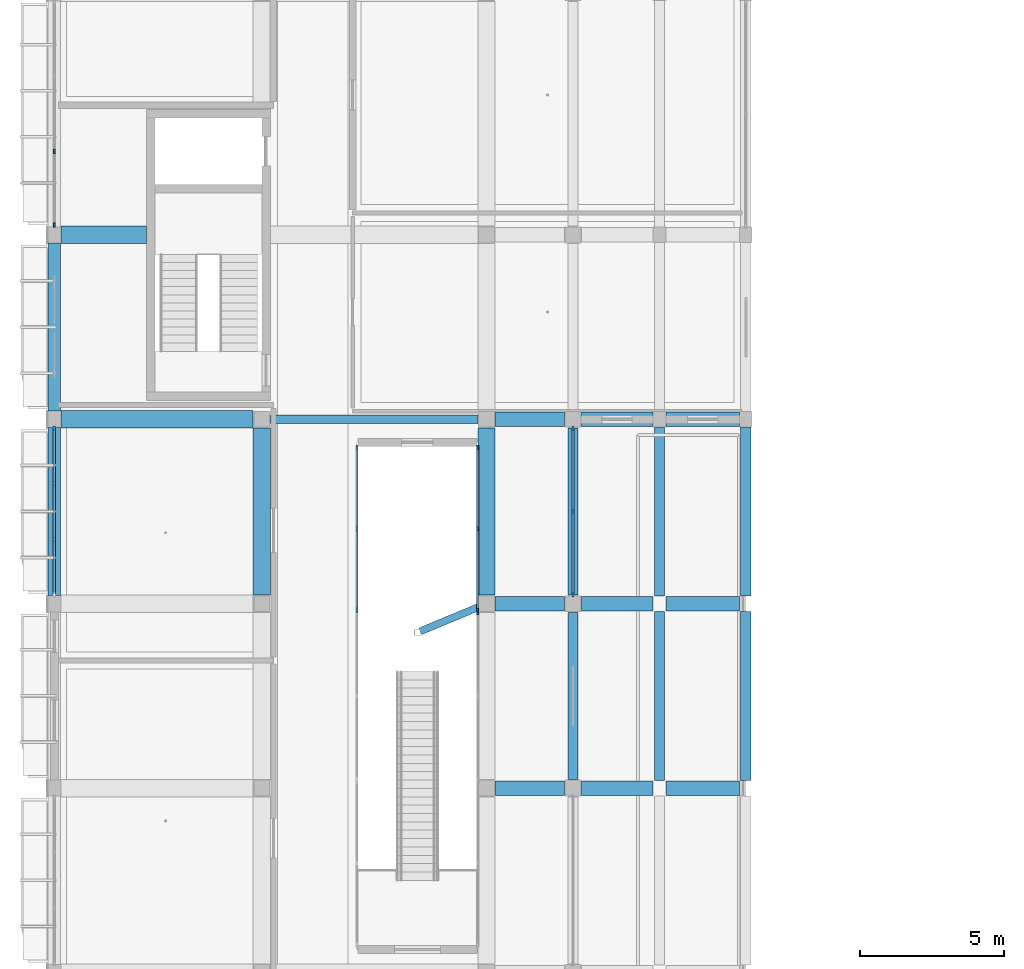
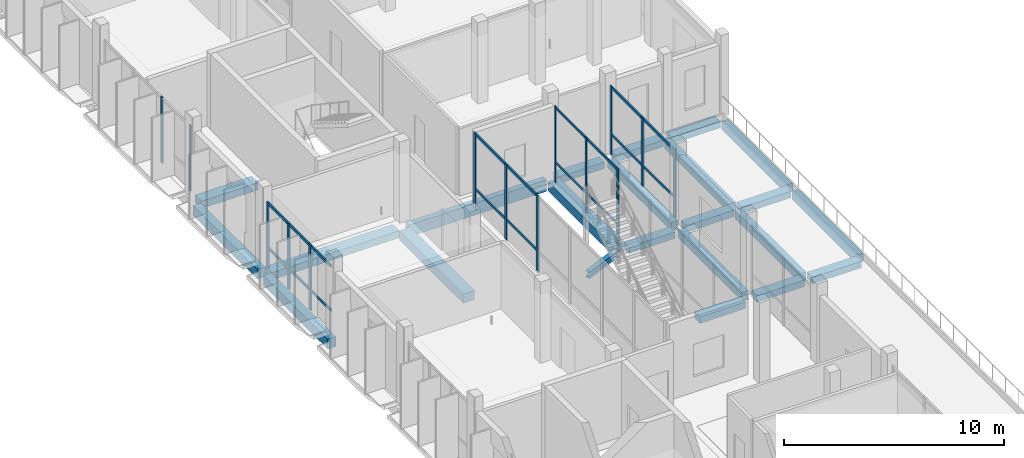
# One storey, part 20 of 95: 23 beams, 23 members, 6 elements without a shape of their own.
"""IFC4 building model written with IfcOpenShell, lengths in metres."""

from ifc_helpers import new_model, si_unit, derived_unit, direction, frame, origin, origin_2d, place, context, subcontext, project, spatial, rectangle, i_section, extrude, material, material_profile, profile_set, type_object, element, aggregate, save


model = new_model("IFC4")

# Units and contexts
model_context = context("Model", 3, precision=1e-05, world=origin(), true_north=direction((0.0, 1.0)))
body_context = subcontext(model_context, "Body", "Model", "MODEL_VIEW")
ifc_project = project(units=[si_unit("LENGTHUNIT", "METRE"), si_unit("AREAUNIT", "SQUARE_METRE"), si_unit("VOLUMEUNIT", "CUBIC_METRE"), si_unit("PLANEANGLEUNIT", "RADIAN"), si_unit("MASSUNIT", "GRAM", prefix="KILO"), derived_unit("THERMALTRANSMITTANCEUNIT", [(si_unit("POWERUNIT", "WATT"), 1), (si_unit("LENGTHUNIT", "METRE"), -2), (si_unit("THERMODYNAMICTEMPERATUREUNIT", "KELVIN"), -1)])], contexts=[model_context])

# Site, building, storey
site_placement = place(None, origin())
site = spatial("IfcSite", under=ifc_project, at=site_placement, CompositionType="ELEMENT")
building_placement = place(site_placement, origin())
building = spatial("IfcBuilding", under=site, at=building_placement, Name="Braskholm Square Health Centre", CompositionType="ELEMENT")
storey_placement = place(building_placement, frame((0.0, 0.0, 4.800048828125)))
storey = spatial("IfcBuildingStorey", under=building, at=storey_placement, Name="L02", CompositionType="ELEMENT", Elevation=4.800048828125)

# Curtain wall, members
ifc_material_1 = material(Name="Low-E triple insulating glass (VLT 0.64)", Category="glass")
curtain_wall_type_1 = type_object("IfcCurtainWallType", Name="UnitisedCurtainWall6200x3650", PredefinedType="NOTDEFINED", material=ifc_material_1)
curtain_wall_1_placement = place(storey_placement, origin())
curtain_wall_1 = element("IfcCurtainWall", 1, at=curtain_wall_1_placement, inside=storey, type_object=curtain_wall_type_1, Name="West Outer unitised curtain wall CW-L02-0010", PredefinedType="NOTDEFINED")
ifc_material_2 = material(Name="Architectural bronze anodised aluminium", Category="aluminium")
ifc_material_profile_1 = material_profile(ifc_material_2, rectangle(XDim=0.06494140625, YDim=0.14990234375, at=origin_2d()), Name="ALU-65X150")
ifc_profile_set_1 = profile_set([ifc_material_profile_1], Name="Architectural bronze anodised aluminium")
member_type_1 = type_object("IfcMemberType", Name="CurtainWallMullion65x150", PredefinedType="MULLION", material=ifc_profile_set_1)
member_1_placement = place(storey_placement, frame((4.199951171875, 58.296630859375, 0.0), z_axis=(0.0, 0.0, 1.0), x_axis=(1.0, 0.0, 0.0)))
member_1 = element("IfcMember", 2, at=member_1_placement, type_object=member_type_1, Name="CW-L02-0010 vertical mullion 3", PredefinedType="MULLION", context=body_context, shape_type="SweptSolid", body=[
    extrude(rectangle(XDim=0.06494140625, YDim=0.14990234375, at=origin_2d()), origin(), (0.0, 0.0, 1.0), 3.64990234375),
])
member_2_placement = place(storey_placement, frame((4.199951171875, 55.73681640625, 0.0), z_axis=(0.0, 0.0, 1.0), x_axis=(1.0, 0.0, 0.0)))
member_2 = element("IfcMember", 3, at=member_2_placement, type_object=member_type_1, Name="CW-L02-0010 vertical mullion 4", PredefinedType="MULLION", context=body_context, shape_type="SweptSolid", body=[
    extrude(rectangle(XDim=0.06494140625, YDim=0.14990234375, at=origin_2d()), origin(), (0.0, 0.0, 1.0), 3.64990234375),
])
aggregate(curtain_wall_1, [member_1, member_2])

# Curtain wall, member
curtain_wall_type_2 = type_object("IfcCurtainWallType", Name="UnitisedCurtainWall6200x4100", PredefinedType="NOTDEFINED", material=ifc_material_1)
curtain_wall_2_placement = place(storey_placement, origin())
curtain_wall_2 = element("IfcCurtainWall", 4, at=curtain_wall_2_placement, inside=storey, type_object=curtain_wall_type_2, Name="WC1 Court E unitised curtain wall CW-L02-0258", PredefinedType="NOTDEFINED")
member_3_placement = place(storey_placement, frame((18.89990234375, 42.29296875, 0.0), z_axis=(0.0, 0.0, 1.0), x_axis=(1.0, 0.0, 0.0)))
member_3 = element("IfcMember", 5, at=member_3_placement, type_object=member_type_1, Name="CW-L02-0258 vertical mullion 1", PredefinedType="MULLION", context=body_context, shape_type="SweptSolid", body=[
    extrude(rectangle(XDim=0.06494140625, YDim=0.14990234375, at=origin_2d()), origin(), (0.0, 0.0, 1.0), 4.199951171875),
])
aggregate(curtain_wall_2, [member_3])

# Curtain wall, members
curtain_wall_type_3 = type_object("IfcCurtainWallType", Name="UnitisedCurtainWall5400x4100", PredefinedType="NOTDEFINED", material=ifc_material_1)
curtain_wall_3_placement = place(storey_placement, origin())
curtain_wall_3 = element("IfcCurtainWall", 6, at=curtain_wall_3_placement, inside=storey, type_object=curtain_wall_type_3, Name="WC1 Court E unitised curtain wall CW-L02-0260", PredefinedType="NOTDEFINED")
member_4_placement = place(storey_placement, frame((18.89990234375, 48.025634765625, 0.0), z_axis=(0.0, 0.0, 1.0), x_axis=(1.0, 0.0, 0.0)))
member_4 = element("IfcMember", 7, at=member_4_placement, type_object=member_type_1, Name="CW-L02-0260 vertical mullion 1", PredefinedType="MULLION", context=body_context, shape_type="SweptSolid", body=[
    extrude(rectangle(XDim=0.06494140625, YDim=0.14990234375, at=origin_2d()), origin(), (0.0, 0.0, 1.0), 4.199951171875),
])
member_5_placement = place(storey_placement, frame((18.89990234375, 45.198974609375, 0.0), z_axis=(0.0, 0.0, 1.0), x_axis=(1.0, 0.0, 0.0)))
member_5 = element("IfcMember", 8, at=member_5_placement, type_object=member_type_1, Name="CW-L02-0260 vertical mullion 2", PredefinedType="MULLION", context=body_context, shape_type="SweptSolid", body=[
    extrude(rectangle(XDim=0.06494140625, YDim=0.14990234375, at=origin_2d()), origin(), (0.0, 0.0, 1.0), 4.199951171875),
])
member_6_placement = place(storey_placement, frame((18.89990234375, 42.372314453125, 0.0), z_axis=(0.0, 0.0, 1.0), x_axis=(1.0, 0.0, 0.0)))
member_6 = element("IfcMember", 9, at=member_6_placement, type_object=member_type_1, Name="CW-L02-0260 vertical mullion 3", PredefinedType="MULLION", context=body_context, shape_type="SweptSolid", body=[
    extrude(rectangle(XDim=0.06494140625, YDim=0.14990234375, at=origin_2d()), origin(), (0.0, 0.0, 1.0), 4.199951171875),
])

curtain_wall_4_placement = place(storey_placement, origin())
curtain_wall_4 = element("IfcCurtainWall", 10, at=curtain_wall_4_placement, inside=storey, type_object=curtain_wall_type_1, Name="West Outer unitised curtain wall CW-L02-0009", PredefinedType="NOTDEFINED")
ifc_material_profile_2 = material_profile(ifc_material_2, rectangle(XDim=0.074951171875, YDim=0.179931640625, at=origin_2d()), Name="ALU-75X180")
ifc_profile_set_2 = profile_set([ifc_material_profile_2], Name="Architectural bronze anodised aluminium")
member_type_2 = type_object("IfcMemberType", Name="CurtainWallMullion75x180", PredefinedType="MULLION", material=ifc_profile_set_2)
member_7_placement = place(storey_placement, frame((4.199951171875, 48.675048828125, 0.0), z_axis=(0.0, 0.0, 1.0), x_axis=(1.0, 0.0, 0.0)))
member_7 = element("IfcMember", 11, at=member_7_placement, type_object=member_type_2, Name="CW-L02-0009 vertical mullion 1", PredefinedType="MULLION", context=body_context, shape_type="SweptSolid", body=[
    extrude(rectangle(XDim=0.074951171875, YDim=0.179931640625, at=origin_2d()), origin(), (0.0, 0.0, 1.0), 3.64990234375),
])
member_8_placement = place(storey_placement, frame((4.199951171875, 46.77001953125, 0.0), z_axis=(0.0, 0.0, 1.0), x_axis=(1.0, 0.0, 0.0)))
member_8 = element("IfcMember", 12, at=member_8_placement, type_object=member_type_2, Name="CW-L02-0009 vertical mullion 2", PredefinedType="MULLION", context=body_context, shape_type="SweptSolid", body=[
    extrude(rectangle(XDim=0.074951171875, YDim=0.179931640625, at=origin_2d()), origin(), (0.0, 0.0, 1.0), 3.64990234375),
])
member_9_placement = place(storey_placement, frame((4.199951171875, 44.830078125, 0.0), z_axis=(0.0, 0.0, 1.0), x_axis=(1.0, 0.0, 0.0)))
member_9 = element("IfcMember", 13, at=member_9_placement, type_object=member_type_2, Name="CW-L02-0009 vertical mullion 3", PredefinedType="MULLION", context=body_context, shape_type="SweptSolid", body=[
    extrude(rectangle(XDim=0.074951171875, YDim=0.179931640625, at=origin_2d()), origin(), (0.0, 0.0, 1.0), 3.64990234375),
])

curtain_wall_type_4 = type_object("IfcCurtainWallType", Name="UnitisedCurtainWall6200x3800", PredefinedType="NOTDEFINED", material=ifc_material_1)
curtain_wall_5_placement = place(storey_placement, origin())
curtain_wall_5 = element("IfcCurtainWall", 14, at=curtain_wall_5_placement, inside=storey, type_object=curtain_wall_type_4, Name="West Valley unitised curtain wall CW-L02-0087", PredefinedType="NOTDEFINED")
member_10_placement = place(storey_placement, frame((22.199951171875, 42.919921875, 0.0), z_axis=(0.0, 0.0, 1.0), x_axis=(1.0, 0.0, 0.0)))
member_10 = element("IfcMember", 15, at=member_10_placement, type_object=member_type_2, Name="CW-L02-0087 vertical mullion 1", PredefinedType="MULLION", context=body_context, shape_type="SweptSolid", body=[
    extrude(rectangle(XDim=0.074951171875, YDim=0.179931640625, at=origin_2d()), origin(), (0.0, 0.0, 1.0), 3.7900390625),
])
member_11_placement = place(storey_placement, frame((22.199951171875, 45.800048828125, 0.0), z_axis=(0.0, 0.0, 1.0), x_axis=(1.0, 0.0, 0.0)))
member_11 = element("IfcMember", 16, at=member_11_placement, type_object=member_type_2, Name="CW-L02-0087 vertical mullion 2", PredefinedType="MULLION", context=body_context, shape_type="SweptSolid", body=[
    extrude(rectangle(XDim=0.074951171875, YDim=0.179931640625, at=origin_2d()), origin(), (0.0, 0.0, 1.0), 3.7900390625),
])
member_12_placement = place(storey_placement, frame((22.199951171875, 48.679931640625, 0.0), z_axis=(0.0, 0.0, 1.0), x_axis=(1.0, 0.0, 0.0)))
member_12 = element("IfcMember", 17, at=member_12_placement, type_object=member_type_2, Name="CW-L02-0087 vertical mullion 3", PredefinedType="MULLION", context=body_context, shape_type="SweptSolid", body=[
    extrude(rectangle(XDim=0.074951171875, YDim=0.179931640625, at=origin_2d()), origin(), (0.0, 0.0, 1.0), 3.7900390625),
])

curtain_wall_6_placement = place(storey_placement, origin())
curtain_wall_6 = element("IfcCurtainWall", 18, at=curtain_wall_6_placement, inside=storey, type_object=curtain_wall_type_3, Name="WC1 Court W unitised curtain wall CW-L02-0259", PredefinedType="NOTDEFINED")
member_13_placement = place(storey_placement, frame((14.699951171875, 42.372314453125, 0.0), z_axis=(0.0, 0.0, 1.0), x_axis=(1.0, 0.0, 0.0)))
member_13 = element("IfcMember", 19, at=member_13_placement, type_object=member_type_2, Name="CW-L02-0259 vertical mullion 1", PredefinedType="MULLION", context=body_context, shape_type="SweptSolid", body=[
    extrude(rectangle(XDim=0.074951171875, YDim=0.179931640625, at=origin_2d()), origin(), (0.0, 0.0, 1.0), 4.199951171875),
])
member_14_placement = place(storey_placement, frame((14.699951171875, 45.198974609375, 0.0), z_axis=(0.0, 0.0, 1.0), x_axis=(1.0, 0.0, 0.0)))
member_14 = element("IfcMember", 20, at=member_14_placement, type_object=member_type_2, Name="CW-L02-0259 vertical mullion 2", PredefinedType="MULLION", context=body_context, shape_type="SweptSolid", body=[
    extrude(rectangle(XDim=0.074951171875, YDim=0.179931640625, at=origin_2d()), origin(), (0.0, 0.0, 1.0), 4.199951171875),
])
member_15_placement = place(storey_placement, frame((14.699951171875, 48.025634765625, 0.0), z_axis=(0.0, 0.0, 1.0), x_axis=(1.0, 0.0, 0.0)))
member_15 = element("IfcMember", 21, at=member_15_placement, type_object=member_type_2, Name="CW-L02-0259 vertical mullion 3", PredefinedType="MULLION", context=body_context, shape_type="SweptSolid", body=[
    extrude(rectangle(XDim=0.074951171875, YDim=0.179931640625, at=origin_2d()), origin(), (0.0, 0.0, 1.0), 4.199951171875),
])

# Member
ifc_material_profile_3 = material_profile(ifc_material_2, rectangle(XDim=0.06494140625, YDim=0.1201171875, at=origin_2d()), Name="ALU-65X120")
ifc_profile_set_3 = profile_set([ifc_material_profile_3], Name="Architectural bronze anodised aluminium")
member_type_3 = type_object("IfcMemberType", Name="CurtainWallTransom65x120", PredefinedType="USERDEFINED", material=ifc_profile_set_3)
member_16_placement = place(storey_placement, frame((18.89990234375, 48.014892578125, 1.119873046875), z_axis=(0.0, -1.0, 0.0), x_axis=(1.0, 0.0, 0.0)))
member_16 = element("IfcMember", 22, at=member_16_placement, type_object=member_type_3, Name="CW-L02-0260 horizontal transom 1", ObjectType="TRANSOM", PredefinedType="USERDEFINED", context=body_context, shape_type="SweptSolid", body=[
    extrude(rectangle(XDim=0.06494140625, YDim=0.1201171875, at=origin_2d()), origin(), (0.0, 0.0, 1.0), 5.6318359375),
])

member_17_placement = place(storey_placement, frame((18.89990234375, 48.014892578125, 4.1298828125), z_axis=(0.0, -1.0, 0.0), x_axis=(1.0, 0.0, 0.0)))
member_17 = element("IfcMember", 23, at=member_17_placement, type_object=member_type_3, Name="CW-L02-0260 horizontal transom 2", ObjectType="TRANSOM", PredefinedType="USERDEFINED", context=body_context, shape_type="SweptSolid", body=[
    extrude(rectangle(XDim=0.06494140625, YDim=0.1201171875, at=origin_2d()), origin(), (0.0, 0.0, 1.0), 5.6318359375),
])

aggregate(curtain_wall_3, [member_4, member_5, member_6, member_16, member_17])

ifc_material_profile_4 = material_profile(ifc_material_2, rectangle(XDim=0.074951171875, YDim=0.139892578125, at=origin_2d()), Name="ALU-75X140")
ifc_profile_set_4 = profile_set([ifc_material_profile_4], Name="Architectural bronze anodised aluminium")
member_type_4 = type_object("IfcMemberType", Name="CurtainWallTransom75x140", PredefinedType="USERDEFINED", material=ifc_profile_set_4)
member_18_placement = place(storey_placement, frame((4.199951171875, 48.6650390625, 1.119873046875), z_axis=(0.0, -1.0, 0.0), x_axis=(1.0, 0.0, 0.0)))
member_18 = element("IfcMember", 24, at=member_18_placement, type_object=member_type_4, Name="CW-L02-0009 horizontal transom 1", ObjectType="TRANSOM", PredefinedType="USERDEFINED", context=body_context, shape_type="SweptSolid", body=[
    extrude(rectangle(XDim=0.074951171875, YDim=0.139892578125, at=origin_2d()), origin(), (0.0, 0.0, 1.0), 5.72998046875),
])

member_19_placement = place(storey_placement, frame((4.199951171875, 48.6650390625, 3.579833984375), z_axis=(0.0, -1.0, 0.0), x_axis=(1.0, 0.0, 0.0)))
member_19 = element("IfcMember", 25, at=member_19_placement, type_object=member_type_4, Name="CW-L02-0009 horizontal transom 2", ObjectType="TRANSOM", PredefinedType="USERDEFINED", context=body_context, shape_type="SweptSolid", body=[
    extrude(rectangle(XDim=0.074951171875, YDim=0.139892578125, at=origin_2d()), origin(), (0.0, 0.0, 1.0), 5.72998046875),
])

aggregate(curtain_wall_4, [member_7, member_8, member_9, member_18, member_19])

member_20_placement = place(storey_placement, frame((22.199951171875, 42.929931640625, 1.119873046875), z_axis=(0.0, 1.0, 0.0), x_axis=(-1.0, 0.0, 0.0)))
member_20 = element("IfcMember", 26, at=member_20_placement, type_object=member_type_4, Name="CW-L02-0087 horizontal transom 1", ObjectType="TRANSOM", PredefinedType="USERDEFINED", context=body_context, shape_type="SweptSolid", body=[
    extrude(rectangle(XDim=0.074951171875, YDim=0.139892578125, at=origin_2d()), origin(), (0.0, 0.0, 1.0), 5.739990234375),
])

member_21_placement = place(storey_placement, frame((22.199951171875, 42.929931640625, 3.719970703125), z_axis=(0.0, 1.0, 0.0), x_axis=(-1.0, 0.0, 0.0)))
member_21 = element("IfcMember", 27, at=member_21_placement, type_object=member_type_4, Name="CW-L02-0087 horizontal transom 2", ObjectType="TRANSOM", PredefinedType="USERDEFINED", context=body_context, shape_type="SweptSolid", body=[
    extrude(rectangle(XDim=0.074951171875, YDim=0.139892578125, at=origin_2d()), origin(), (0.0, 0.0, 1.0), 5.739990234375),
])

aggregate(curtain_wall_5, [member_10, member_11, member_12, member_20, member_21])

member_22_placement = place(storey_placement, frame((14.699951171875, 42.383056640625, 1.119873046875), z_axis=(0.0, 1.0, 0.0), x_axis=(-1.0, 0.0, 0.0)))
member_22 = element("IfcMember", 28, at=member_22_placement, type_object=member_type_4, Name="CW-L02-0259 horizontal transom 1", ObjectType="TRANSOM", PredefinedType="USERDEFINED", context=body_context, shape_type="SweptSolid", body=[
    extrude(rectangle(XDim=0.074951171875, YDim=0.139892578125, at=origin_2d()), origin(), (0.0, 0.0, 1.0), 5.6318359375),
])

member_23_placement = place(storey_placement, frame((14.699951171875, 42.383056640625, 4.1298828125), z_axis=(0.0, 1.0, 0.0), x_axis=(-1.0, 0.0, 0.0)))
member_23 = element("IfcMember", 29, at=member_23_placement, type_object=member_type_4, Name="CW-L02-0259 horizontal transom 2", ObjectType="TRANSOM", PredefinedType="USERDEFINED", context=body_context, shape_type="SweptSolid", body=[
    extrude(rectangle(XDim=0.074951171875, YDim=0.139892578125, at=origin_2d()), origin(), (0.0, 0.0, 1.0), 5.6318359375),
])

aggregate(curtain_wall_6, [member_13, member_14, member_15, member_22, member_23])

# Beams
ifc_material_3 = material(Name="Concrete C35/45 (f'c = 35 MPa)", Category="concrete")
ifc_material_profile_5 = material_profile(ifc_material_3, rectangle(XDim=0.5, YDim=0.360107421875, at=origin_2d()), Name="RCB-500X360")
ifc_profile_set_5 = profile_set([ifc_material_profile_5], Name="Concrete C35/45 (f'c = 35 MPa)")
beam_type_1 = type_object("IfcBeamType", Name="PrimaryBandBeam500x360", PredefinedType="BEAM", material=ifc_profile_set_5)
beam_1_placement = place(storey_placement, frame((19.5, 36.199951171875, -0.56005859375), z_axis=(1.0, 0.0, 0.0), x_axis=(0.0, 1.0, 0.0)))
element("IfcBeam", 30, at=beam_1_placement, inside=storey, type_object=beam_type_1, Name="Beam 3-4/F L02", PredefinedType="BEAM", context=body_context, shape_type="SweptSolid", body=[
    extrude(rectangle(XDim=0.5, YDim=0.360107421875, at=origin_2d()), origin(), (0.0, 0.0, 1.0), 2.39990234375),
])
beam_2_placement = place(storey_placement, frame((22.5, 36.199951171875, -0.429931640625), z_axis=(1.0, 0.0, 0.0), x_axis=(0.0, 1.0, 0.0)))
element("IfcBeam", 31, at=beam_2_placement, inside=storey, type_object=beam_type_1, Name="Beam 4-5/F L02", PredefinedType="BEAM", context=body_context, shape_type="SweptSolid", body=[
    extrude(rectangle(XDim=0.5, YDim=0.360107421875, at=origin_2d()), origin(), (0.0, 0.0, 1.0), 2.47998046875),
])
beam_3_placement = place(storey_placement, frame((25.419921875, 36.199951171875, -0.429931640625), z_axis=(1.0, 0.0, 0.0), x_axis=(0.0, 1.0, 0.0)))
element("IfcBeam", 32, at=beam_3_placement, inside=storey, type_object=beam_type_1, Name="Beam 5-6/F L02", PredefinedType="BEAM", context=body_context, shape_type="SweptSolid", body=[
    extrude(rectangle(XDim=0.5, YDim=0.360107421875, at=origin_2d()), origin(), (0.0, 0.0, 1.0), 2.56005859375),
])
beam_4_placement = place(storey_placement, frame((19.5, 42.60009765625, -0.56005859375), z_axis=(1.0, 0.0, 0.0), x_axis=(0.0, 1.0, 0.0)))
element("IfcBeam", 33, at=beam_4_placement, inside=storey, type_object=beam_type_1, Name="Beam 3-4/G L02", PredefinedType="BEAM", context=body_context, shape_type="SweptSolid", body=[
    extrude(rectangle(XDim=0.5, YDim=0.360107421875, at=origin_2d()), origin(), (0.0, 0.0, 1.0), 2.39990234375),
])
beam_5_placement = place(storey_placement, frame((22.5, 42.60009765625, -0.429931640625), z_axis=(1.0, 0.0, 0.0), x_axis=(0.0, 1.0, 0.0)))
element("IfcBeam", 34, at=beam_5_placement, inside=storey, type_object=beam_type_1, Name="Beam 4-5/G L02", PredefinedType="BEAM", context=body_context, shape_type="SweptSolid", body=[
    extrude(rectangle(XDim=0.5, YDim=0.360107421875, at=origin_2d()), origin(), (0.0, 0.0, 1.0), 2.47998046875),
])
beam_6_placement = place(storey_placement, frame((25.419921875, 42.60009765625, -0.429931640625), z_axis=(1.0, 0.0, 0.0), x_axis=(0.0, 1.0, 0.0)))
element("IfcBeam", 35, at=beam_6_placement, inside=storey, type_object=beam_type_1, Name="Beam 5-6/G L02", PredefinedType="BEAM", context=body_context, shape_type="SweptSolid", body=[
    extrude(rectangle(XDim=0.5, YDim=0.360107421875, at=origin_2d()), origin(), (0.0, 0.0, 1.0), 2.56005859375),
])
beam_7_placement = place(storey_placement, frame((19.5, 49.0, -0.56005859375), z_axis=(1.0, 0.0, 0.0), x_axis=(0.0, 1.0, 0.0)))
element("IfcBeam", 36, at=beam_7_placement, inside=storey, type_object=beam_type_1, Name="Beam 3-4/H L02", PredefinedType="BEAM", context=body_context, shape_type="SweptSolid", body=[
    extrude(rectangle(XDim=0.5, YDim=0.360107421875, at=origin_2d()), origin(), (0.0, 0.0, 1.0), 2.39990234375),
])
beam_8_placement = place(storey_placement, frame((22.5, 49.0, -0.429931640625), z_axis=(1.0, 0.0, 0.0), x_axis=(0.0, 1.0, 0.0)))
element("IfcBeam", 37, at=beam_8_placement, inside=storey, type_object=beam_type_1, Name="Beam 4-5/H L02", PredefinedType="BEAM", context=body_context, shape_type="SweptSolid", body=[
    extrude(rectangle(XDim=0.5, YDim=0.360107421875, at=origin_2d()), origin(), (0.0, 0.0, 1.0), 2.47998046875),
])
beam_9_placement = place(storey_placement, frame((25.419921875, 49.0, -0.429931640625), z_axis=(1.0, 0.0, 0.0), x_axis=(0.0, 1.0, 0.0)))
element("IfcBeam", 38, at=beam_9_placement, inside=storey, type_object=beam_type_1, Name="Beam 5-6/H L02", PredefinedType="BEAM", context=body_context, shape_type="SweptSolid", body=[
    extrude(rectangle(XDim=0.5, YDim=0.360107421875, at=origin_2d()), origin(), (0.0, 0.0, 1.0), 2.56005859375),
])
ifc_material_profile_6 = material_profile(ifc_material_3, rectangle(XDim=0.60009765625, YDim=0.39990234375, at=origin_2d()), Name="RCB-600X400")
ifc_profile_set_6 = profile_set([ifc_material_profile_6], Name="Concrete C35/45 (f'c = 35 MPa)")
beam_type_2 = type_object("IfcBeamType", Name="PrimaryBandBeam600x400", PredefinedType="BEAM", material=ifc_profile_set_6)
beam_10_placement = place(storey_placement, frame((4.429931640625, 49.0, -0.580078125), z_axis=(1.0, 0.0, 0.0), x_axis=(0.0, 1.0, 0.0)))
element("IfcBeam", 39, at=beam_10_placement, inside=storey, type_object=beam_type_2, Name="Beam 1-2/H L02", PredefinedType="BEAM", context=body_context, shape_type="SweptSolid", body=[
    extrude(rectangle(XDim=0.60009765625, YDim=0.39990234375, at=origin_2d()), origin(), (0.0, 0.0, 1.0), 6.670166015625),
])
beam_11_placement = place(storey_placement, frame((4.429931640625, 55.39990234375, -0.5), z_axis=(1.0, 0.0, 0.0), x_axis=(0.0, 1.0, 0.0)))
element("IfcBeam", 40, at=beam_11_placement, inside=storey, type_object=beam_type_2, Name="Beam 1-3/J L02", PredefinedType="BEAM", context=body_context, shape_type="SweptSolid", body=[
    extrude(rectangle(XDim=0.60009765625, YDim=0.39990234375, at=origin_2d()), origin(), (0.0, 0.0, 1.0), 2.969970703125),
])
ifc_material_4 = material(Name="Concrete C40/50 (f'c = 40 MPa)", Category="concrete")
ifc_material_profile_7 = material_profile(ifc_material_4, rectangle(XDim=0.300048828125, YDim=0.64990234375, at=origin_2d()), Name="RCB-300X650")
ifc_profile_set_7 = profile_set([ifc_material_profile_7], Name="Concrete C40/50 (f'c = 40 MPa)")
beam_type_3 = type_object("IfcBeamType", Name="PrimaryCoreCoupling300x650", PredefinedType="BEAM", material=ifc_profile_set_7)
beam_12_placement = place(storey_placement, frame((11.699951171875, 49.0, -0.705078125), z_axis=(1.0, 0.0, 0.0), x_axis=(0.0, 1.0, 0.0)))
element("IfcBeam", 41, at=beam_12_placement, inside=storey, type_object=beam_type_3, Name="Beam 2-3/H L02", PredefinedType="BEAM", context=body_context, shape_type="SweptSolid", body=[
    extrude(rectangle(XDim=0.300048828125, YDim=0.64990234375, at=origin_2d()), origin(), (0.0, 0.0, 1.0), 7.199951171875),
])
ifc_material_profile_8 = material_profile(ifc_material_4, rectangle(XDim=0.60009765625, YDim=0.52001953125, at=origin_2d()), Name="RCB-600X520")
ifc_profile_set_8 = profile_set([ifc_material_profile_8], Name="Concrete C40/50 (f'c = 40 MPa)")
beam_type_4 = type_object("IfcBeamType", Name="PrimaryGirderSurgery600x520", PredefinedType="BEAM", material=ifc_profile_set_8)
for number, where, z_axis, x_axis, name in (
    (42, (11.39990234375, 42.89990234375, -0.64013671875), (0.0, 1.0, 0.0), (-1.0, 0.0, 0.0), "Beam 2/G-H L02"),
    (43, (19.199951171875, 42.89990234375, -0.64013671875), (0.0, 1.0, 0.0), (-1.0, 0.0, 0.0), "Beam 3/G-H L02"),
):
    element("IfcBeam", number, at=place(storey_placement, frame(where, z_axis=z_axis, x_axis=x_axis)), inside=storey, type_object=beam_type_4, Name=name, PredefinedType="BEAM", context=body_context, shape_type="SweptSolid", body=[
        extrude(rectangle(XDim=0.60009765625, YDim=0.52001953125, at=origin_2d()), origin(), (0.0, 0.0, 1.0), 5.800048828125),
    ])
ifc_material_5 = material(Name="Precast concrete C40/50 architectural white", Category="concrete")
ifc_material_profile_9 = material_profile(ifc_material_5, rectangle(XDim=0.419921875, YDim=0.550048828125, at=origin_2d()), Name="RCB-420X550")
ifc_profile_set_9 = profile_set([ifc_material_profile_9], Name="Precast concrete C40/50 architectural white")
beam_type_5 = type_object("IfcBeamType", Name="SpandrelPrecastLedge420x550", PredefinedType="SPANDREL", material=ifc_profile_set_9)
for number, where, z_axis, x_axis, name in (
    (44, (4.199951171875, 42.8798828125, -0.655029296875), (0.0, 1.0, 0.0), (-1.0, 0.0, 0.0), "Beam 1/G-H L02"),
    (45, (4.199951171875, 49.280029296875, -0.655029296875), (0.0, 1.0, 0.0), (-1.0, 0.0, 0.0), "Beam 1/H-J L02"),
):
    element("IfcBeam", number, at=place(storey_placement, frame(where, z_axis=z_axis, x_axis=x_axis)), inside=storey, type_object=beam_type_5, Name=name, PredefinedType="SPANDREL", context=body_context, shape_type="SweptSolid", body=[
        extrude(rectangle(XDim=0.419921875, YDim=0.550048828125, at=origin_2d()), origin(), (0.0, 0.0, 1.0), 5.840087890625),
    ])
ifc_material_profile_10 = material_profile(ifc_material_5, rectangle(XDim=0.360107421875, YDim=0.4599609375, at=origin_2d()), Name="RCB-360X460")
ifc_profile_set_10 = profile_set([ifc_material_profile_10], Name="Precast concrete C40/50 architectural white")
beam_type_6 = type_object("IfcBeamType", Name="SpandrelTerraceEdge360x460", PredefinedType="SPANDREL", material=ifc_profile_set_10)
for number, where, z_axis, x_axis, name in (
    (46, (22.199951171875, 36.5, -0.47998046875), (0.0, 1.0, 0.0), (-1.0, 0.0, 0.0), "Beam 4/F-G L02"),
    (47, (22.199951171875, 42.89990234375, -0.47998046875), (0.0, 1.0, 0.0), (-1.0, 0.0, 0.0), "Beam 4/G-H L02"),
):
    element("IfcBeam", number, at=place(storey_placement, frame(where, z_axis=z_axis, x_axis=x_axis)), inside=storey, type_object=beam_type_6, Name=name, PredefinedType="SPANDREL", context=body_context, shape_type="SweptSolid", body=[
        extrude(rectangle(XDim=0.360107421875, YDim=0.4599609375, at=origin_2d()), origin(), (0.0, 0.0, 1.0), 5.800048828125),
    ])
beam_13_placement = place(storey_placement, frame((25.199951171875, 36.469970703125, -0.47998046875), z_axis=(0.0, 1.0, 0.0), x_axis=(-1.0, 0.0, 0.0)))
element("IfcBeam", 48, at=beam_13_placement, inside=storey, type_object=beam_type_6, Name="Beam 5/F-G L02", PredefinedType="SPANDREL", context=body_context, shape_type="SweptSolid", body=[
    extrude(rectangle(XDim=0.360107421875, YDim=0.4599609375, at=origin_2d()), origin(), (0.0, 0.0, 1.0), 5.860107421875),
])
beam_14_placement = place(storey_placement, frame((25.199951171875, 42.8701171875, -0.47998046875), z_axis=(0.0, 1.0, 0.0), x_axis=(-1.0, 0.0, 0.0)))
element("IfcBeam", 49, at=beam_14_placement, inside=storey, type_object=beam_type_6, Name="Beam 5/G-H L02", PredefinedType="SPANDREL", context=body_context, shape_type="SweptSolid", body=[
    extrude(rectangle(XDim=0.360107421875, YDim=0.4599609375, at=origin_2d()), origin(), (0.0, 0.0, 1.0), 5.85986328125),
])
beam_15_placement = place(storey_placement, frame((28.199951171875, 36.469970703125, -0.47998046875), z_axis=(0.0, 1.0, 0.0), x_axis=(-1.0, 0.0, 0.0)))
element("IfcBeam", 50, at=beam_15_placement, inside=storey, type_object=beam_type_6, Name="Beam 6/F-G L02", PredefinedType="SPANDREL", context=body_context, shape_type="SweptSolid", body=[
    extrude(rectangle(XDim=0.360107421875, YDim=0.4599609375, at=origin_2d()), origin(), (0.0, 0.0, 1.0), 5.860107421875),
])
beam_16_placement = place(storey_placement, frame((28.199951171875, 42.8701171875, -0.47998046875), z_axis=(0.0, 1.0, 0.0), x_axis=(-1.0, 0.0, 0.0)))
element("IfcBeam", 51, at=beam_16_placement, inside=storey, type_object=beam_type_6, Name="Beam 6/G-H L02", PredefinedType="SPANDREL", context=body_context, shape_type="SweptSolid", body=[
    extrude(rectangle(XDim=0.360107421875, YDim=0.4599609375, at=origin_2d()), origin(), (0.0, 0.0, 1.0), 5.85986328125),
])
ifc_material_6 = material(Name="Steel ASTM A992 Grade 50", Category="steel")
ifc_material_profile_11 = material_profile(ifc_material_6, i_section(OverallWidth=0.2548828125, OverallDepth=0.35693359375, WebThickness=0.010498046875, FlangeThickness=0.018310546875, at=origin_2d()), Name="W14X68")
ifc_profile_set_11 = profile_set([ifc_material_profile_11], Name="Steel ASTM A992 Grade 50")
beam_type_7 = type_object("IfcBeamType", Name="SteelBeamCanopyW14X68", PredefinedType="BEAM", material=ifc_profile_set_11)
beam_17_placement = place(storey_placement, frame((16.89990234375, 41.6416015625, -0.55859375), z_axis=(0.92306360078, 0.384647356569, 0.0), x_axis=(-0.384647356569, 0.92306360078, 0.0)))
element("IfcBeam", 52, at=beam_17_placement, inside=storey, type_object=beam_type_7, Name="Tie beam CS3C L02", PredefinedType="BEAM", context=body_context, shape_type="SweptSolid", body=[
    extrude(i_section(OverallWidth=0.2548828125, OverallDepth=0.35693359375, WebThickness=0.010498046875, FlangeThickness=0.018310546875, at=origin_2d()), origin(), (0.0, 0.0, 1.0), 2.168701171875),
])

save(model, "model.ifc")
